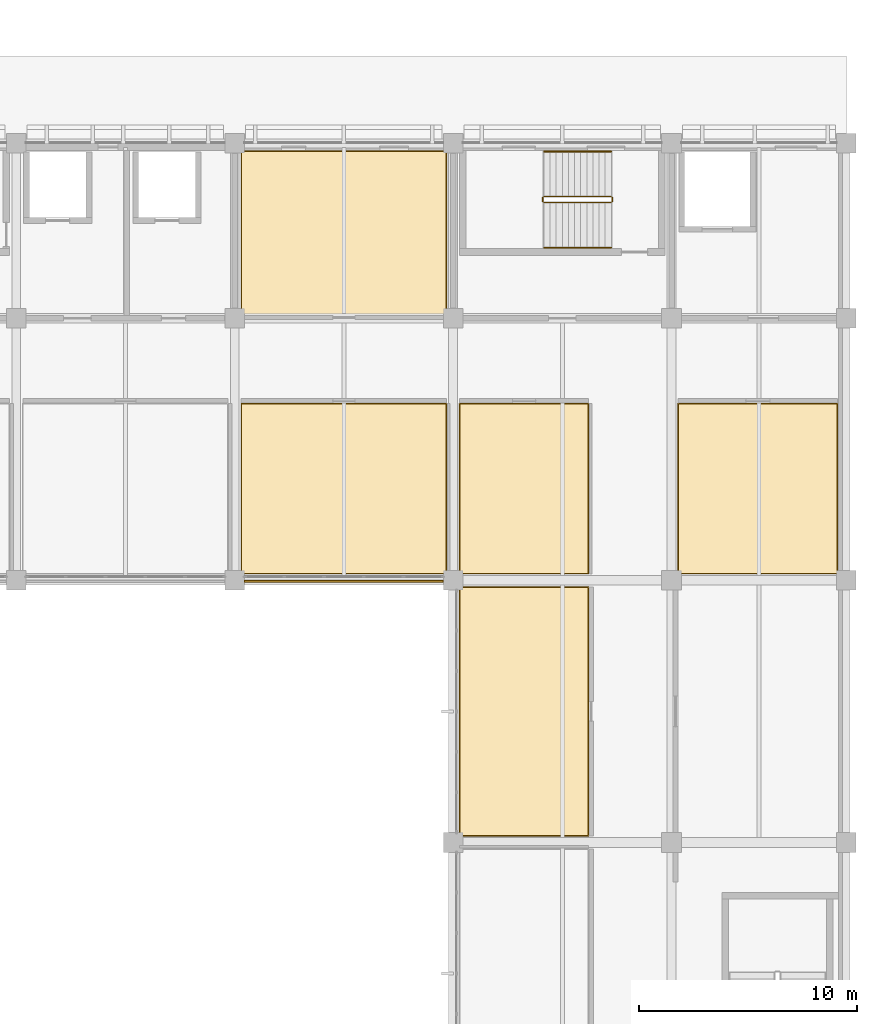
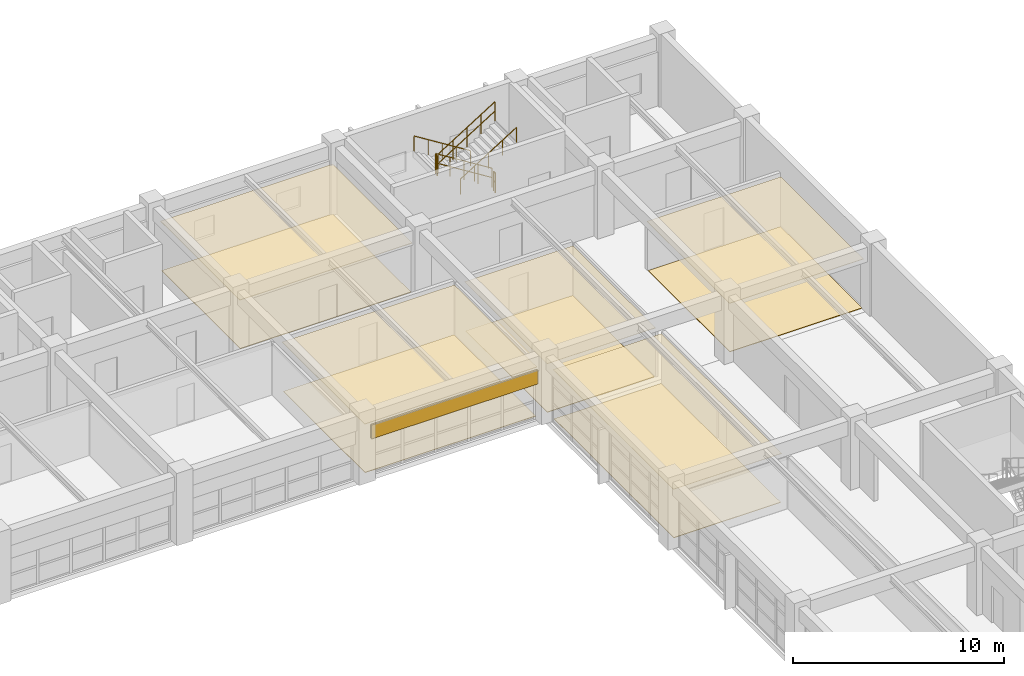
# One storey, part 99 of 100: 11 coverings, 6 railings.
"""IFC4 building model written with IfcOpenShell, lengths in metres."""

import ifcopenshell
import ifcopenshell.guid

model = None  # the IFC model being written
_history = None  # IfcOwnerHistory: only IFC2X3 demands one
_inside = {}  # id of a spatial element -> (the spatial element, [elements in it])
_under = {}  # id of a project, library or spatial element -> (it, [spatial elements below it])
_declared = {}  # id of a project -> (the project, [libraries it declares])
_typed = {}  # id of a type object -> (the type object, [elements of that type])
_made_of = {}  # id of a material, layer set ... -> (it, [elements and type objects made of it])


def new_model(schema):
    """Start an empty IFC model of exactly this schema.

    Asked for "IFC4X3", IfcOpenShell would pick the latest addendum, in which some entities
    have other attributes; the version numbers below select the first issue.
    IFC2X3 requires an IfcOwnerHistory on every rooted entity: one is made here for all.
    """
    global model, _history
    if schema == "IFC4X3":
        model = ifcopenshell.file(schema_version=(4, 3, 0, 0))
    else:
        model = ifcopenshell.file(schema=schema)
    _inside.clear()
    _under.clear()
    _declared.clear()
    _typed.clear()
    _made_of.clear()
    _history = None
    if model.schema == "IFC2X3":
        org = make("IfcOrganization", Name="unknown")
        user = make(
            "IfcPersonAndOrganization",
            ThePerson=make("IfcPerson", FamilyName="unknown"),
            TheOrganization=org,
        )
        app = make(
            "IfcApplication",
            ApplicationDeveloper=org,
            Version="unknown",
            ApplicationFullName="unknown",
            ApplicationIdentifier="unknown",
        )
        _history = make(
            "IfcOwnerHistory",
            OwningUser=user,
            OwningApplication=app,
            ChangeAction="ADDED",
            CreationDate=0,
        )
    return model


def make(cls, **values):
    """One entity of the class cls with the attributes given. An attribute that is None is left unset."""
    return model.create_entity(
        cls, **{name: value for name, value in values.items() if value is not None}
    )


def rooted(cls, **values):
    """An entity with a GlobalId (a new one), such as an element, a storey or a relation."""
    return make(cls, GlobalId=ifcopenshell.guid.new(), OwnerHistory=_history, **values)


def si_unit(unit_type, name, prefix=None):
    """IfcSIUnit, for example si_unit("LENGTHUNIT", "METRE", prefix="MILLI")."""
    return make("IfcSIUnit", UnitType=unit_type, Prefix=prefix, Name=name)


def assignment(units):
    """IfcUnitAssignment: the units of a project."""
    return None if units is None else make("IfcUnitAssignment", Units=units)


def point(xyz):
    """IfcCartesianPoint."""
    return None if xyz is None else make("IfcCartesianPoint", Coordinates=xyz)


def direction(xyz):
    """IfcDirection."""
    return None if xyz is None else make("IfcDirection", DirectionRatios=xyz)


def frame(location, z_axis=None, x_axis=None):
    """IfcAxis2Placement3D, a coordinate frame: its origin and axes. An axis left out is left unset."""
    return make(
        "IfcAxis2Placement3D",
        Location=point(location),
        Axis=direction(z_axis),
        RefDirection=direction(x_axis),
    )


def frame_2d(location, x_axis=None):
    """IfcAxis2Placement2D, a coordinate frame in the plane: its origin and x axis."""
    return make(
        "IfcAxis2Placement2D", Location=point(location), RefDirection=direction(x_axis)
    )


def origin():
    """The frame at (0, 0, 0) with its axes left unset."""
    return frame((0.0, 0.0, 0.0))


def origin_2d():
    """The frame at (0, 0) in the plane with its x axis left unset."""
    return frame_2d((0.0, 0.0))


def place(relative_to, where):
    """IfcLocalPlacement: puts the frame where relative to a parent placement (None: the world)."""
    return make(
        "IfcLocalPlacement", PlacementRelTo=relative_to, RelativePlacement=where
    )


def context(
    kind, dimensions, precision=None, world=None, true_north=None, identifier=None
):
    """IfcGeometricRepresentationContext, for example the 3D "Model" context."""
    return make(
        "IfcGeometricRepresentationContext",
        ContextIdentifier=identifier,
        ContextType=kind,
        CoordinateSpaceDimension=dimensions,
        Precision=precision,
        WorldCoordinateSystem=world,
        TrueNorth=true_north,
    )


def subcontext(parent, identifier, kind, view, scale=None):
    """IfcGeometricRepresentationSubContext, for example "Body" below "Model"."""
    return make(
        "IfcGeometricRepresentationSubContext",
        ContextIdentifier=identifier,
        ContextType=kind,
        ParentContext=parent,
        TargetScale=scale,
        TargetView=view,
    )


def project(units=None, contexts=None):
    """IfcProject with its units and contexts."""
    return rooted(
        "IfcProject",
        Name="project",
        RepresentationContexts=contexts,
        UnitsInContext=assignment(units),
    )


def spatial(cls, under=None, at=None, **own):
    """A site, building, storey or space (cls), placed at a placement, below another one or the project."""
    s = rooted(cls, ObjectPlacement=at, **own)
    if under is not None:
        _under.setdefault(under.id(), (under, []))[1].append(s)
    return s


def polyline(points):
    """IfcPolyline through the points."""
    return make("IfcPolyline", Points=[point(p) for p in points])


def profile(cls, at=None, kind="AREA", **sizes):
    """A parametric profile (cls). Its sizes go by their IFC names, for example OverallWidth=200.0."""
    return make(cls, ProfileType=kind, Position=at, **sizes)


def rectangle(**sizes):
    """IfcRectangleProfileDef."""
    return profile("IfcRectangleProfileDef", **sizes)


def circle(**sizes):
    """IfcCircleProfileDef."""
    return profile("IfcCircleProfileDef", **sizes)


def outline(outer, holes=None, kind="AREA"):
    """IfcArbitraryClosedProfileDef: a profile drawn as a closed curve; with holes, ...WithVoids."""
    if holes is None:
        return make("IfcArbitraryClosedProfileDef", ProfileType=kind, OuterCurve=outer)
    return make(
        "IfcArbitraryProfileDefWithVoids",
        ProfileType=kind,
        OuterCurve=outer,
        InnerCurves=holes,
    )


def extrude(swept, where, along, depth):
    """IfcExtrudedAreaSolid: the profile swept, set in the frame where, extruded along a direction by depth."""
    return make(
        "IfcExtrudedAreaSolid",
        SweptArea=swept,
        Position=where,
        ExtrudedDirection=direction(along),
        Depth=depth,
    )


def shape(context_of_items, identifier, shape_type, items):
    """IfcShapeRepresentation: the items that make up one representation, for example the "Body"."""
    return make(
        "IfcShapeRepresentation",
        ContextOfItems=context_of_items,
        RepresentationIdentifier=identifier,
        RepresentationType=shape_type,
        Items=items,
    )


def material(Name=None, Category=None):
    """IfcMaterial."""
    return make("IfcMaterial", Name=Name, Category=Category)


def layer(
    of_material, thickness, ventilated=None, Name=None, Category=None, Priority=None
):
    """IfcMaterialLayer: one layer of a wall or slab, of a material (None: an air gap)."""
    return make(
        "IfcMaterialLayer",
        Material=of_material,
        LayerThickness=thickness,
        IsVentilated=ventilated,
        Name=Name,
        Category=Category,
        Priority=Priority,
    )


def layer_set(layers, Name=None):
    """IfcMaterialLayerSet."""
    return make("IfcMaterialLayerSet", MaterialLayers=layers, LayerSetName=Name)


def made_of(thing, what):
    """Note that an element or type object is made of a material, layer set ...; save() writes the relation."""
    if what is not None:
        _made_of.setdefault(what.id(), (what, []))[1].append(thing)
    return thing


def type_object(cls, material=None, **own):
    """A type object (cls), such as IfcWallType, which elements share."""
    return made_of(rooted(cls, **own), material)


def element(
    cls,
    number,
    at=None,
    inside=None,
    cuts=None,
    type_object=None,
    material=None,
    context=None,
    identifier="Body",
    shape_type=None,
    held_by="IfcProductDefinitionShape",
    body=None,
    shapes=None,
    **own,
):
    """One element of the class cls, such as IfcWall. Its Tag is "e" and its number.

    at: its placement. inside: the storey or other place that contains it. cuts: it is an
    opening in that element (IfcRelVoidsElement). A single representation is given by context,
    identifier, shape_type and body (its items); several are given by shapes. held_by: the class
    of the entity that holds the representations. save() writes the other relations.
    """
    e = rooted(cls, Tag="e%d" % number, ObjectPlacement=at, **own)
    if body is not None:
        shapes = [shape(context, identifier, shape_type, body)]
    if shapes is not None:
        e.Representation = make(held_by, Representations=shapes)
    if inside is not None:
        _inside.setdefault(inside.id(), (inside, []))[1].append(e)
    if cuts is not None:
        rooted(
            "IfcRelVoidsElement", RelatingBuildingElement=cuts, RelatedOpeningElement=e
        )
    if type_object is not None:
        _typed.setdefault(type_object.id(), (type_object, []))[1].append(e)
    return made_of(e, material)


def aggregate(whole, parts):
    """IfcRelAggregates: a whole, such as a stair, and the parts it consists of."""
    return rooted("IfcRelAggregates", RelatingObject=whole, RelatedObjects=parts)


def save(model, path):
    """Write the relations noted so far, then the file.

    IfcRelAggregates (storeys below a building ...), IfcRelContainedInSpatialStructure (elements
    in a storey), IfcRelDefinesByType, IfcRelAssociatesMaterial and IfcRelDeclares: one each for
    every whole, place, type object, material and project.
    """
    for whole, parts in _under.values():
        aggregate(whole, parts)
    for where, things in _inside.values():
        rooted(
            "IfcRelContainedInSpatialStructure",
            RelatedElements=things,
            RelatingStructure=where,
        )
    for kind, things in _typed.values():
        rooted("IfcRelDefinesByType", RelatedObjects=things, RelatingType=kind)
    for what, things in _made_of.values():
        rooted("IfcRelAssociatesMaterial", RelatedObjects=things, RelatingMaterial=what)
    for by, libraries in _declared.values():
        rooted("IfcRelDeclares", RelatingContext=by, RelatedDefinitions=libraries)
    model.write(path)


model = new_model("IFC4")

# Units and contexts
model_context = context("Model", 3, precision=1e-05, world=origin(), true_north=direction((0.0, 1.0)))
body_context = subcontext(model_context, "Body", "Model", "MODEL_VIEW")
ifc_project = project(units=[si_unit("LENGTHUNIT", "METRE"), si_unit("AREAUNIT", "SQUARE_METRE"), si_unit("VOLUMEUNIT", "CUBIC_METRE"), si_unit("PLANEANGLEUNIT", "RADIAN"), si_unit("MASSUNIT", "GRAM", prefix="KILO")], contexts=[model_context])

# Site, building, storey
site_placement = place(None, origin())
site = spatial("IfcSite", under=ifc_project, at=site_placement, CompositionType="ELEMENT")
building_placement = place(site_placement, origin())
building = spatial("IfcBuilding", under=site, at=building_placement, Name="Kivolera Central Railway Station", CompositionType="ELEMENT")
storey_placement = place(building_placement, frame((0.0, 0.0, 5.39990234375)))
storey = spatial("IfcBuildingStorey", under=building, at=storey_placement, Name="L01", CompositionType="ELEMENT", Elevation=5.39990234375)

# Coverings
ifc_material_1 = material(Name="Mineral fibre acoustic tile")
ifc_layer_1 = layer(ifc_material_1, 0.02001953125, Name="Mineral fibre acoustic tile")
ifc_layer_set_1 = layer_set([ifc_layer_1], Name="Mineral fibre acoustic tile")
covering_type_1 = type_object("IfcCoveringType", Name="COV-CEIL-20", PredefinedType="CEILING", material=ifc_layer_set_1)
covering_1_placement = place(storey_placement, frame((0.0, 0.0, 2.85009765625)))
element("IfcCovering", 1, at=covering_1_placement, inside=storey, type_object=covering_type_1, Name="L01 Travel Insurance Advisory Office Acoustic Ceiling", PredefinedType="CEILING", context=body_context, shape_type="SweptSolid", body=[
    extrude(outline(polyline([(178.280029296875, 114.280029296875), (184.219970703125, 114.280029296875), (184.219970703125, 122.1201171875), (178.280029296875, 122.1201171875), (178.280029296875, 114.280029296875)])), origin(), (0.0, 0.0, 1.0), 0.02001953125),
])
covering_2_placement = place(storey_placement, frame((0.0, 0.0, 2.85009765625)))
element("IfcCovering", 2, at=covering_2_placement, inside=storey, type_object=covering_type_1, Name="L01 Station Hospitality Studio Acoustic Ceiling", PredefinedType="CEILING", context=body_context, shape_type="SweptSolid", body=[
    extrude(outline(polyline([(178.280029296875, 102.280029296875), (184.219970703125, 102.280029296875), (184.219970703125, 113.719970703125), (178.280029296875, 113.719970703125), (178.280029296875, 102.280029296875)])), origin(), (0.0, 0.0, 1.0), 0.02001953125),
])
ifc_material_2 = material(Name="Hardwood mvule timber", Category="wood")
ifc_layer_2 = layer(ifc_material_2, 0.02490234375, Name="Hardwood mvule timber")
ifc_layer_set_2 = layer_set([ifc_layer_2], Name="Hardwood mvule timber")
covering_type_2 = type_object("IfcCoveringType", Name="COV-CEIL-25", PredefinedType="CEILING", material=ifc_layer_set_2)
covering_3_placement = place(storey_placement, frame((0.0, 0.0, 2.85009765625)))
element("IfcCovering", 3, at=covering_3_placement, inside=storey, type_object=covering_type_2, Name="L01 Retail Concessionaires Office Acoustic Ceiling", PredefinedType="CEILING", context=body_context, shape_type="SweptSolid", body=[
    extrude(outline(polyline([(188.280029296875, 114.280029296875), (195.6201171875, 114.280029296875), (195.6201171875, 122.1201171875), (188.280029296875, 122.1201171875), (188.280029296875, 114.280029296875)])), origin(), (0.0, 0.0, 1.0), 0.02490234375),
])
ifc_layer_3 = layer(ifc_material_1, 0.030029296875, Name="Mineral fibre acoustic tile")
ifc_layer_set_3 = layer_set([ifc_layer_3], Name="Mineral fibre acoustic tile")
covering_type_3 = type_object("IfcCoveringType", Name="COV-CEIL-30", PredefinedType="CEILING", material=ifc_layer_set_3)
covering_4_placement = place(storey_placement, frame((0.0, 0.0, 2.85009765625)))
element("IfcCovering", 4, at=covering_4_placement, inside=storey, type_object=covering_type_3, Name="L01 Passenger First-Aid Clinic Room Acoustic Ceiling", PredefinedType="CEILING", context=body_context, shape_type="SweptSolid", body=[
    extrude(outline(polyline([(168.280029296875, 126.1298828125), (177.719970703125, 126.1298828125), (177.719970703125, 133.669921875), (168.280029296875, 133.669921875), (168.280029296875, 126.1298828125)])), origin(), (0.0, 0.0, 1.0), 0.030029296875),
])
covering_5_placement = place(storey_placement, frame((0.0, 0.0, 2.85009765625)))
element("IfcCovering", 5, at=covering_5_placement, inside=storey, type_object=covering_type_3, Name="L01 Optical and Electronics Retail Shop Acoustic Ceiling", PredefinedType="CEILING", context=body_context, shape_type="SweptSolid", body=[
    extrude(outline(polyline([(168.280029296875, 114.280029296875), (177.719970703125, 114.280029296875), (177.719970703125, 122.1201171875), (168.280029296875, 122.1201171875), (168.280029296875, 114.280029296875)])), origin(), (0.0, 0.0, 1.0), 0.030029296875),
])
ifc_material_3 = material(Name="Precast concrete C40/50", Category="concrete")
ifc_layer_4 = layer(ifc_material_3, 0.090087890625, Name="Precast concrete C40/50")
ifc_layer_set_4 = layer_set([ifc_layer_4], Name="Precast concrete C40/50")
covering_type_4 = type_object("IfcCoveringType", Name="COV-CLAUSTRA-90", PredefinedType="CLADDING", material=ifc_layer_set_4)
covering_6_placement = place(storey_placement, frame((177.554931640625, 113.9599609375, 2.168212890625), z_axis=(0.0, 0.0, 1.0), x_axis=(-1.0, 0.0, 0.0)))
element("IfcCovering", 6, at=covering_6_placement, inside=storey, type_object=covering_type_4, Name="L01 Monsoon Court Precast Claustra Screen 168", PredefinedType="CLADDING", context=body_context, shape_type="SweptSolid", body=[
    extrude(rectangle(XDim=9.10986328125, YDim=0.090087890625, at=frame_2d((4.554931640625, 0.0))), origin(), (0.0, 0.0, 1.0), 0.7998046875),
])
ifc_material_4 = material(Name="Swahili coral limestone", Category="masonry")
ifc_layer_5 = layer(ifc_material_4, 0.030029296875, Name="Swahili coral limestone")
ifc_layer_set_5 = layer_set([ifc_layer_5], Name="Swahili coral limestone")
covering_type_5 = type_object("IfcCoveringType", Name="COV-FLR-30", PredefinedType="FLOORING", material=ifc_layer_set_5)
covering_7_placement = place(storey_placement, origin())
element("IfcCovering", 7, at=covering_7_placement, inside=storey, type_object=covering_type_5, Name="L01 Passenger First-Aid Clinic Room Floor Finish", PredefinedType="FLOORING", context=body_context, shape_type="SweptSolid", body=[
    extrude(outline(polyline([(168.320068359375, 126.169921875), (177.679931640625, 126.169921875), (177.679931640625, 133.6298828125), (168.320068359375, 133.6298828125), (168.320068359375, 126.169921875)])), origin(), (0.0, 0.0, 1.0), 0.030029296875),
])
covering_8_placement = place(storey_placement, origin())
element("IfcCovering", 8, at=covering_8_placement, inside=storey, type_object=covering_type_5, Name="L01 Optical and Electronics Retail Shop Floor Finish", PredefinedType="FLOORING", context=body_context, shape_type="SweptSolid", body=[
    extrude(outline(polyline([(168.320068359375, 114.320068359375), (177.679931640625, 114.320068359375), (177.679931640625, 122.080078125), (168.320068359375, 122.080078125), (168.320068359375, 114.320068359375)])), origin(), (0.0, 0.0, 1.0), 0.030029296875),
])
covering_9_placement = place(storey_placement, origin())
element("IfcCovering", 9, at=covering_9_placement, inside=storey, type_object=covering_type_5, Name="L01 Travel Insurance Advisory Office Floor Finish", PredefinedType="FLOORING", context=body_context, shape_type="SweptSolid", body=[
    extrude(outline(polyline([(178.320068359375, 114.320068359375), (184.179931640625, 114.320068359375), (184.179931640625, 122.080078125), (178.320068359375, 122.080078125), (178.320068359375, 114.320068359375)])), origin(), (0.0, 0.0, 1.0), 0.030029296875),
])
covering_10_placement = place(storey_placement, origin())
element("IfcCovering", 10, at=covering_10_placement, inside=storey, type_object=covering_type_5, Name="L01 Retail Concessionaires Office Floor Finish", PredefinedType="FLOORING", context=body_context, shape_type="SweptSolid", body=[
    extrude(outline(polyline([(188.320068359375, 114.320068359375), (195.580078125, 114.320068359375), (195.580078125, 122.080078125), (188.320068359375, 122.080078125), (188.320068359375, 114.320068359375)])), origin(), (0.0, 0.0, 1.0), 0.030029296875),
])
covering_11_placement = place(storey_placement, origin())
element("IfcCovering", 11, at=covering_11_placement, inside=storey, type_object=covering_type_5, Name="L01 Station Hospitality Studio Floor Finish", PredefinedType="FLOORING", context=body_context, shape_type="SweptSolid", body=[
    extrude(outline(polyline([(178.320068359375, 102.320068359375), (184.179931640625, 102.320068359375), (184.179931640625, 113.679931640625), (178.320068359375, 113.679931640625), (178.320068359375, 102.320068359375)])), origin(), (0.0, 0.0, 1.0), 0.030029296875),
])

# Railings
ifc_material_5 = material(Name="Anodised aluminium", Category="aluminium")
ifc_layer_6 = layer(ifc_material_5, 0.048095703125, Name="Anodised aluminium")
ifc_layer_set_6 = layer_set([ifc_layer_6], Name="Anodised aluminium")
railing_type_1 = type_object("IfcRailingType", Name="RL-STAIR-GUARD", PredefinedType="GUARDRAIL", material=ifc_layer_set_6)
railing_1_placement = place(storey_placement, frame((185.239990234375, 131.570068359375, 0.175048828125)))
element("IfcRailing", 12, at=railing_1_placement, inside=storey, type_object=railing_type_1, Name="L01 ST3 stair guard 1", PredefinedType="GUARDRAIL", context=body_context, shape_type="SweptSolid", body=[
    extrude(circle(Radius=0.02392578125, at=origin_2d()), frame((0.0, 0.0, 1.10595703125), z_axis=(-0.847998304005, 0.0, 0.529998940003), x_axis=(0.0, -1.0, 0.0)), (0.0, 0.0, 1.0), 3.632080078125),
    extrude(circle(Radius=0.02392578125, at=origin_2d()), frame((0.0, 0.0, 0.56494140625), z_axis=(-0.847998304005, 0.0, 0.529998940003), x_axis=(0.0, -1.0, 0.0)), (0.0, 0.0, 1.0), 3.632080078125),
    extrude(circle(Radius=0.02099609375, at=origin_2d()), origin(), (0.0, 0.0, 1.0), 1.081787109375),
    extrude(circle(Radius=0.02099609375, at=origin_2d()), frame((-0.77001953125, 0.0, 0.481201171875)), (0.0, 0.0, 1.0), 1.081787109375),
    extrude(circle(Radius=0.02099609375, at=origin_2d()), frame((-1.5400390625, 0.0, 0.96240234375)), (0.0, 0.0, 1.0), 1.081787109375),
    extrude(circle(Radius=0.02099609375, at=origin_2d()), frame((-2.31005859375, 0.0, 1.44384765625)), (0.0, 0.0, 1.0), 1.081787109375),
    extrude(circle(Radius=0.02099609375, at=origin_2d()), frame((-3.080078125, 0.0, 1.925048828125)), (0.0, 0.0, 1.0), 1.081787109375),
])
railing_2_placement = place(storey_placement, frame((182.110107421875, 131.52001953125, 2.10009765625)))
element("IfcRailing", 13, at=railing_2_placement, inside=storey, type_object=railing_type_1, Name="L01 ST3 stair guard 2", PredefinedType="GUARDRAIL", context=body_context, shape_type="SweptSolid", body=[
    extrude(circle(Radius=0.02392578125, at=origin_2d()), frame((0.0, 0.0, 1.10595703125), z_axis=(0.0, -1.0, 0.0), x_axis=(1.0, 0.0, 0.0)), (0.0, 0.0, 1.0), 0.179931640625),
    extrude(circle(Radius=0.02392578125, at=origin_2d()), frame((0.0, 0.0, 0.56494140625), z_axis=(0.0, -1.0, 0.0), x_axis=(1.0, 0.0, 0.0)), (0.0, 0.0, 1.0), 0.179931640625),
    extrude(circle(Radius=0.02099609375, at=origin_2d()), origin(), (0.0, 0.0, 1.0), 1.081787109375),
    extrude(circle(Radius=0.02099609375, at=origin_2d()), frame((0.0, -0.179931640625, 0.0)), (0.0, 0.0, 1.0), 1.081787109375),
])
railing_3_placement = place(storey_placement, frame((182.159912109375, 131.2900390625, 2.275146484375)))
element("IfcRailing", 14, at=railing_3_placement, inside=storey, type_object=railing_type_1, Name="L01 ST3 stair guard 3", PredefinedType="GUARDRAIL", context=body_context, shape_type="SweptSolid", body=[
    extrude(circle(Radius=0.02392578125, at=origin_2d()), frame((0.0, 0.0, 1.10595703125), z_axis=(0.847998304005, 0.0, 0.529998940003), x_axis=(0.0, 1.0, 0.0)), (0.0, 0.0, 1.0), 3.632080078125),
    extrude(circle(Radius=0.02392578125, at=origin_2d()), frame((0.0, 0.0, 0.56494140625), z_axis=(0.847998304005, 0.0, 0.529998940003), x_axis=(0.0, 1.0, 0.0)), (0.0, 0.0, 1.0), 3.632080078125),
    extrude(circle(Radius=0.02099609375, at=origin_2d()), origin(), (0.0, 0.0, 1.0), 1.081787109375),
    extrude(circle(Radius=0.02099609375, at=origin_2d()), frame((0.77001953125, 0.0, 0.481201171875)), (0.0, 0.0, 1.0), 1.081787109375),
    extrude(circle(Radius=0.02099609375, at=origin_2d()), frame((1.5400390625, 0.0, 0.96240234375)), (0.0, 0.0, 1.0), 1.081787109375),
    extrude(circle(Radius=0.02099609375, at=origin_2d()), frame((2.31005859375, 0.0, 1.44384765625)), (0.0, 0.0, 1.0), 1.081787109375),
    extrude(circle(Radius=0.02099609375, at=origin_2d()), frame((3.080078125, 0.0, 1.925048828125)), (0.0, 0.0, 1.0), 1.081787109375),
])
railing_4_placement = place(storey_placement, frame((185.2900390625, 131.52001953125, 0.0)))
element("IfcRailing", 15, at=railing_4_placement, inside=storey, type_object=railing_type_1, Name="L01 ST3 stair guard 4", PredefinedType="GUARDRAIL", context=body_context, shape_type="SweptSolid", body=[
    extrude(circle(Radius=0.02392578125, at=origin_2d()), frame((0.0, 0.0, 1.10595703125), z_axis=(0.0, -1.0, 0.0), x_axis=(1.0, 0.0, 0.0)), (0.0, 0.0, 1.0), 0.179931640625),
    extrude(circle(Radius=0.02392578125, at=origin_2d()), frame((0.0, 0.0, 0.56494140625), z_axis=(0.0, -1.0, 0.0), x_axis=(1.0, 0.0, 0.0)), (0.0, 0.0, 1.0), 0.179931640625),
    extrude(circle(Radius=0.02099609375, at=origin_2d()), origin(), (0.0, 0.0, 1.0), 1.081787109375),
    extrude(circle(Radius=0.02099609375, at=origin_2d()), frame((0.0, -0.179931640625, 0.0)), (0.0, 0.0, 1.0), 1.081787109375),
])
ifc_layer_7 = layer(ifc_material_5, 0.048095703125, Name="Anodised aluminium")
ifc_layer_set_7 = layer_set([ifc_layer_7], Name="Anodised aluminium")
railing_type_2 = type_object("IfcRailingType", Name="RL-STAIR-HAND", PredefinedType="HANDRAIL", material=ifc_layer_set_7)
railing_5_placement = place(storey_placement, frame((185.239990234375, 133.6298828125, 0.175048828125)))
element("IfcRailing", 16, at=railing_5_placement, inside=storey, type_object=railing_type_2, Name="L01 ST3 stair handrail 1", PredefinedType="HANDRAIL", context=body_context, shape_type="SweptSolid", body=[
    extrude(circle(Radius=0.02392578125, at=origin_2d()), frame((0.0, 0.0, 0.8759765625), z_axis=(-0.847998304005, 0.0, 0.529998940003), x_axis=(0.0, -1.0, 0.0)), (0.0, 0.0, 1.0), 3.632080078125),
    extrude(circle(Radius=0.02099609375, at=origin_2d()), origin(), (0.0, 0.0, 1.0), 0.851806640625),
    extrude(circle(Radius=0.02099609375, at=origin_2d()), frame((-0.77001953125, 0.0, 0.481201171875)), (0.0, 0.0, 1.0), 0.851806640625),
    extrude(circle(Radius=0.02099609375, at=origin_2d()), frame((-1.5400390625, 0.0, 0.96240234375)), (0.0, 0.0, 1.0), 0.851806640625),
    extrude(circle(Radius=0.02099609375, at=origin_2d()), frame((-2.31005859375, 0.0, 1.44384765625)), (0.0, 0.0, 1.0), 0.851806640625),
    extrude(circle(Radius=0.02099609375, at=origin_2d()), frame((-3.080078125, 0.0, 1.925048828125)), (0.0, 0.0, 1.0), 0.851806640625),
])
railing_6_placement = place(storey_placement, frame((182.159912109375, 129.22998046875, 2.275146484375)))
element("IfcRailing", 17, at=railing_6_placement, inside=storey, type_object=railing_type_2, Name="L01 ST3 stair handrail 2", PredefinedType="HANDRAIL", context=body_context, shape_type="SweptSolid", body=[
    extrude(circle(Radius=0.02392578125, at=origin_2d()), frame((0.0, 0.0, 0.8759765625), z_axis=(0.847998304005, 0.0, 0.529998940003), x_axis=(0.0, 1.0, 0.0)), (0.0, 0.0, 1.0), 3.632080078125),
    extrude(circle(Radius=0.02099609375, at=origin_2d()), origin(), (0.0, 0.0, 1.0), 0.851806640625),
    extrude(circle(Radius=0.02099609375, at=origin_2d()), frame((0.77001953125, 0.0, 0.481201171875)), (0.0, 0.0, 1.0), 0.851806640625),
    extrude(circle(Radius=0.02099609375, at=origin_2d()), frame((1.5400390625, 0.0, 0.96240234375)), (0.0, 0.0, 1.0), 0.851806640625),
    extrude(circle(Radius=0.02099609375, at=origin_2d()), frame((2.31005859375, 0.0, 1.44384765625)), (0.0, 0.0, 1.0), 0.851806640625),
    extrude(circle(Radius=0.02099609375, at=origin_2d()), frame((3.080078125, 0.0, 1.925048828125)), (0.0, 0.0, 1.0), 0.851806640625),
])

save(model, "model.ifc")
